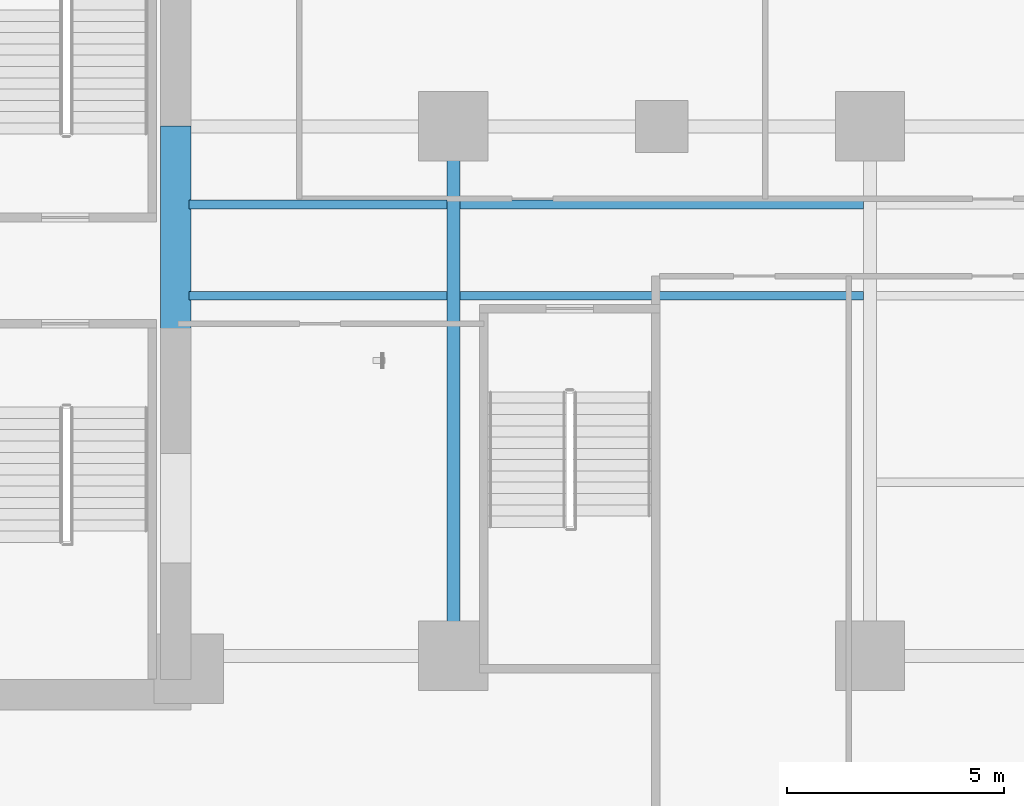
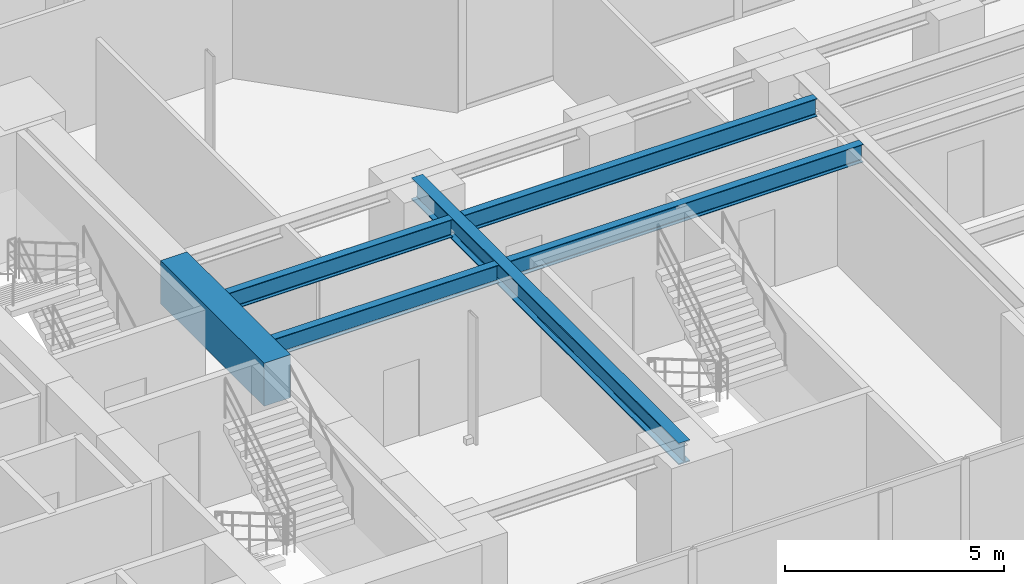
# One storey, part 5 of 30: 6 beams.
"""IFC4 building model written with IfcOpenShell, lengths in metres."""

from ifc_helpers import new_model, si_unit, direction, frame, origin, origin_2d, place, context, subcontext, project, spatial, rectangle, i_section, extrude, material, material_profile, profile_set, type_object, element, save


model = new_model("IFC4")

# Units and contexts
model_context = context("Model", 3, precision=1e-05, world=origin(), true_north=direction((0.0, 1.0)))
body_context = subcontext(model_context, "Body", "Model", "MODEL_VIEW")
ifc_project = project(units=[si_unit("LENGTHUNIT", "METRE"), si_unit("AREAUNIT", "SQUARE_METRE"), si_unit("VOLUMEUNIT", "CUBIC_METRE"), si_unit("PLANEANGLEUNIT", "RADIAN"), si_unit("MASSUNIT", "GRAM", prefix="KILO")], contexts=[model_context])

# Site, building, storey
site_placement = place(None, origin())
site = spatial("IfcSite", under=ifc_project, at=site_placement, CompositionType="ELEMENT")
building_placement = place(site_placement, origin())
building = spatial("IfcBuilding", under=site, at=building_placement, Name="Kolvaren Waterfront Exchange", CompositionType="ELEMENT")
storey_placement = place(building_placement, frame((0.0, 0.0, 71.39990234375)))
storey = spatial("IfcBuildingStorey", under=building, at=storey_placement, Name="L18", CompositionType="ELEMENT", Elevation=71.39990234375)

# Beams
ifc_material_1 = material(Name="Steel S355", Category="steel")
ifc_material_profile_1 = material_profile(ifc_material_1, i_section(OverallWidth=0.300048828125, OverallDepth=0.60009765625, WebThickness=0.015380859375, FlangeThickness=0.030029296875, FilletRadius=0.027099609375, at=origin_2d()), Name="HEB600")
ifc_profile_set_1 = profile_set([ifc_material_profile_1], Name="Steel S355")
beam_type_1 = type_object("IfcBeamType", Name="STR-BM-HEB600", PredefinedType="BEAM", material=ifc_profile_set_1)
beam_1_placement = place(storey_placement, frame((27.199951171875, 5.199951171875, 3.239990234375), z_axis=(0.0, 1.0, 0.0), x_axis=(-1.0, 0.0, 0.0)))
element("IfcBeam", 1, at=beam_1_placement, inside=storey, type_object=beam_type_1, Name="L18 east-arm transverse girder X27", PredefinedType="BEAM", context=body_context, shape_type="SweptSolid", body=[
    extrude(i_section(OverallWidth=0.300048828125, OverallDepth=0.60009765625, WebThickness=0.015380859375, FlangeThickness=0.030029296875, FilletRadius=0.027099609375, at=origin_2d()), origin(), (0.0, 0.0, 1.0), 12.199951171875),
])
ifc_material_profile_2 = material_profile(ifc_material_1, i_section(OverallWidth=0.199951171875, OverallDepth=0.5, WebThickness=0.01025390625, FlangeThickness=0.01611328125, FilletRadius=0.02099609375, at=origin_2d()), Name="IPE500")
ifc_profile_set_2 = profile_set([ifc_material_profile_2], Name="Steel S355")
beam_type_2 = type_object("IfcBeamType", Name="STR-BM-IPE500", PredefinedType="JOIST", material=ifc_profile_set_2)
for number, where, z_axis, x_axis, name in (
    (2, (21.10009765625, 13.5, 3.2900390625), (1.0, 0.0, 0.0), (0.0, 1.0, 0.0), "L18 east-arm composite joist 1A"),
    (3, (21.10009765625, 15.60009765625, 3.2900390625), (1.0, 0.0, 0.0), (0.0, 1.0, 0.0), "L18 east-arm composite joist 1C"),
):
    element("IfcBeam", number, at=place(storey_placement, frame(where, z_axis=z_axis, x_axis=x_axis)), inside=storey, type_object=beam_type_2, Name=name, PredefinedType="JOIST", context=body_context, shape_type="SweptSolid", body=[
        extrude(i_section(OverallWidth=0.199951171875, OverallDepth=0.5, WebThickness=0.01025390625, FlangeThickness=0.01611328125, FilletRadius=0.02099609375, at=origin_2d()), origin(), (0.0, 0.0, 1.0), 5.947998046875),
    ])
for number, where, z_axis, x_axis, name in (
    (4, (27.35205078125, 13.5, 3.2900390625), (1.0, 0.0, 0.0), (0.0, 1.0, 0.0), "L18 east-arm composite joist 2A"),
    (5, (27.35205078125, 15.60009765625, 3.2900390625), (1.0, 0.0, 0.0), (0.0, 1.0, 0.0), "L18 east-arm composite joist 2C"),
):
    element("IfcBeam", number, at=place(storey_placement, frame(where, z_axis=z_axis, x_axis=x_axis)), inside=storey, type_object=beam_type_2, Name=name, PredefinedType="JOIST", context=body_context, shape_type="SweptSolid", body=[
        extrude(i_section(OverallWidth=0.199951171875, OverallDepth=0.5, WebThickness=0.01025390625, FlangeThickness=0.01611328125, FilletRadius=0.02099609375, at=origin_2d()), origin(), (0.0, 0.0, 1.0), 9.2958984375),
    ])
ifc_material_2 = material(Name="Concrete C70/85", Category="concrete")
ifc_material_profile_3 = material_profile(ifc_material_2, rectangle(XDim=0.699951171875, YDim=1.199951171875, at=origin_2d()), Name="RC-CB-1200x700")
ifc_profile_set_3 = profile_set([ifc_material_profile_3], Name="Concrete C70/85")
beam_type_3 = type_object("IfcBeamType", Name="STR-CB-1200", PredefinedType="SPANDREL", material=ifc_profile_set_3)
beam_2_placement = place(storey_placement, frame((20.800048828125, 12.68994140625, 2.940185546875), z_axis=(0.0, 1.0, 0.0), x_axis=(-1.0, 0.0, 0.0)))
element("IfcBeam", 6, at=beam_2_placement, inside=storey, type_object=beam_type_3, Name="L18 core coupling beam 2", PredefinedType="SPANDREL", context=body_context, shape_type="SweptSolid", body=[
    extrude(rectangle(XDim=0.699951171875, YDim=1.199951171875, at=origin_2d()), origin(), (0.0, 0.0, 1.0), 4.719970703125),
])

save(model, "model.ifc")
